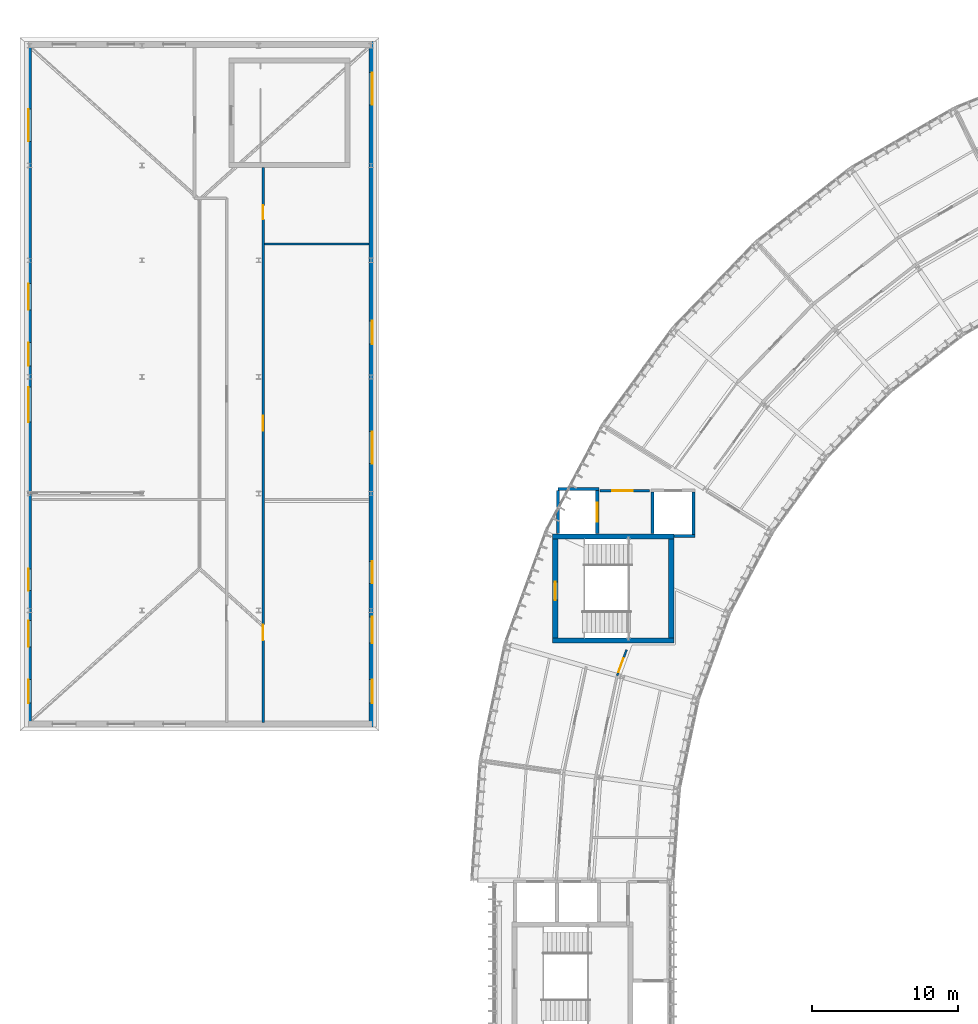
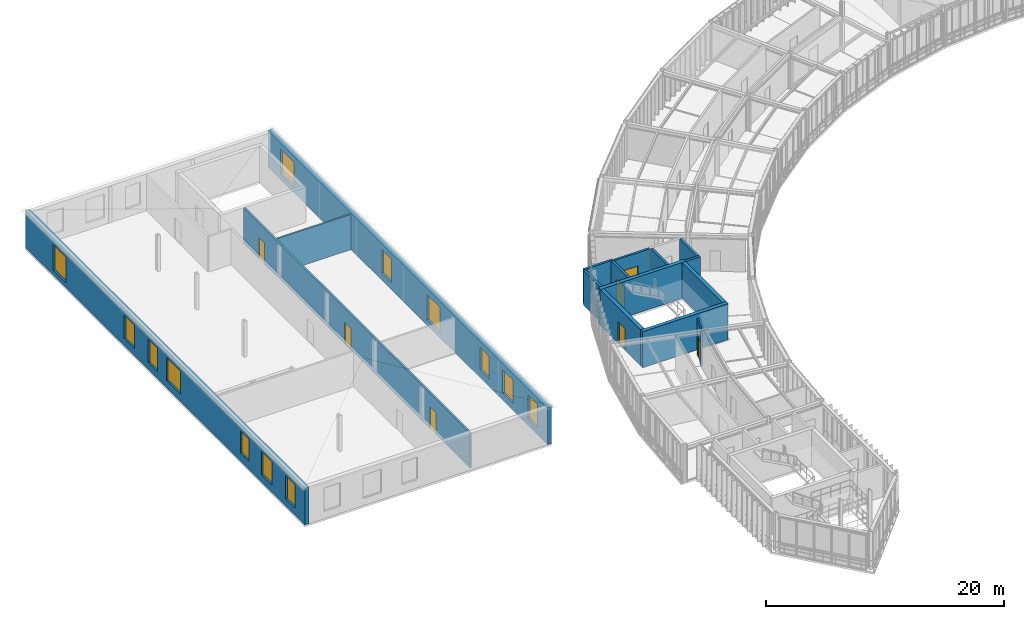
# One storey, part 30 of 42: 16 walls, 13 windows, 7 doors, 20 openings.
"""IFC4 building model written with IfcOpenShell, lengths in metres."""

from ifc_helpers import new_model, si_unit, direction, frame, frame_2d, origin, place, context, subcontext, project, spatial, rectangle, extrude, material, layer, layer_set, type_object, element, fill, save


model = new_model("IFC4")

# Units and contexts
model_context = context("Model", 3, precision=1e-05, world=origin(), true_north=direction((0.0, 1.0)))
body_context = subcontext(model_context, "Body", "Model", "MODEL_VIEW")
ifc_project = project(units=[si_unit("LENGTHUNIT", "METRE"), si_unit("AREAUNIT", "SQUARE_METRE"), si_unit("VOLUMEUNIT", "CUBIC_METRE"), si_unit("PLANEANGLEUNIT", "RADIAN"), si_unit("MASSUNIT", "GRAM", prefix="KILO"), si_unit("THERMODYNAMICTEMPERATUREUNIT", "KELVIN"), si_unit("POWERUNIT", "WATT")], contexts=[model_context])

# Site, building, storey
site_placement = place(None, origin())
site = spatial("IfcSite", under=ifc_project, at=site_placement, CompositionType="ELEMENT")
building_placement = place(site_placement, origin())
building = spatial("IfcBuilding", under=site, at=building_placement, Name="Solvatero Civic Police Headquarters", CompositionType="ELEMENT")
storey_placement = place(building_placement, frame((0.0, 0.0, 21.60009765625)))
storey = spatial("IfcBuildingStorey", under=building, at=storey_placement, Name="L05", CompositionType="ELEMENT", Elevation=21.60009765625)

# Wall, openings, windows
ifc_material_1 = material(Name="Cream Limestone Ashlar", Category="masonry")
ifc_layer_1 = layer(ifc_material_1, 0.419921875)
ifc_layer_set_1 = layer_set([ifc_layer_1], Name="Cream Limestone Ashlar")
wall_type_1 = type_object("IfcWallType", Name="WL-EXT-LIME-420", PredefinedType="SOLIDWALL", material=ifc_layer_set_1)
wall_1_placement = place(storey_placement, frame((4.719970703125, 36.5, 0.0), z_axis=(0.0, 0.0, 1.0), x_axis=(0.0, 1.0, 0.0)))
wall_1 = element("IfcWall", 1, at=wall_1_placement, inside=storey, type_object=wall_type_1, Name="Exterior Wall WLE-L05-V6-W", PredefinedType="SOLIDWALL", context=body_context, shape_type="SweptSolid", body=[
    extrude(rectangle(XDim=47.0, YDim=0.419921875, at=frame_2d((23.5, 0.0))), origin(), (0.0, 0.0, 1.0), 3.77978515625),
])
opening_1_placement = place(wall_1_placement, frame((1.64990234375, 0.0, 0.739990234375)))
opening_1 = element("IfcOpeningElement", 2, at=opening_1_placement, cuts=wall_1, Name="Opening W-04", PredefinedType="OPENING", context=body_context, shape_type="SweptSolid", body=[
    extrude(rectangle(XDim=1.60009765625, YDim=2.39990234375, at=frame_2d((0.800048828125, 1.199951171875))), frame((0.0, 0.219970703125, 0.0), z_axis=(0.0, -1.0, 0.0), x_axis=(1.0, 0.0, 0.0)), (0.0, 0.0, 1.0), 0.43994140625),
])
opening_2_placement = place(wall_1_placement, frame((5.5, 0.0, 0.739990234375)))
opening_2 = element("IfcOpeningElement", 3, at=opening_2_placement, cuts=wall_1, Name="Opening W-05", PredefinedType="OPENING", context=body_context, shape_type="SweptSolid", body=[
    extrude(rectangle(XDim=1.800048828125, YDim=2.39990234375, at=frame_2d((0.89990234375, 1.199951171875))), frame((0.0, 0.219970703125, 0.0), z_axis=(0.0, -1.0, 0.0), x_axis=(1.0, 0.0, 0.0)), (0.0, 0.0, 1.0), 0.43994140625),
])
opening_3_placement = place(wall_1_placement, frame((9.35009765625, 0.0, 0.840087890625)))
opening_3 = element("IfcOpeningElement", 4, at=opening_3_placement, cuts=wall_1, Name="Opening W-03", PredefinedType="OPENING", context=body_context, shape_type="SweptSolid", body=[
    extrude(rectangle(XDim=1.5, YDim=2.300048828125, at=frame_2d((0.75, 1.14990234375))), frame((0.0, 0.219970703125, 0.0), z_axis=(0.0, -1.0, 0.0), x_axis=(1.0, 0.0, 0.0)), (0.0, 0.0, 1.0), 0.43994140625),
])
opening_4_placement = place(wall_1_placement, frame((20.89990234375, 0.0, 0.739990234375)))
opening_4 = element("IfcOpeningElement", 5, at=opening_4_placement, cuts=wall_1, Name="Opening W-08", PredefinedType="OPENING", context=body_context, shape_type="SweptSolid", body=[
    extrude(rectangle(XDim=2.39990234375, YDim=2.39990234375, at=frame_2d((1.199951171875, 1.199951171875))), frame((0.0, 0.219970703125, 0.0), z_axis=(0.0, -1.0, 0.0), x_axis=(1.0, 0.0, 0.0)), (0.0, 0.0, 1.0), 0.43994140625),
])
opening_5_placement = place(wall_1_placement, frame((24.75, 0.0, 0.739990234375)))
opening_5 = element("IfcOpeningElement", 6, at=opening_5_placement, cuts=wall_1, Name="Opening W-04", PredefinedType="OPENING", context=body_context, shape_type="SweptSolid", body=[
    extrude(rectangle(XDim=1.60009765625, YDim=2.39990234375, at=frame_2d((0.800048828125, 1.199951171875))), frame((0.0, 0.219970703125, 0.0), z_axis=(0.0, -1.0, 0.0), x_axis=(1.0, 0.0, 0.0)), (0.0, 0.0, 1.0), 0.43994140625),
])
opening_6_placement = place(wall_1_placement, frame((28.60009765625, 0.0, 0.739990234375)))
opening_6 = element("IfcOpeningElement", 7, at=opening_6_placement, cuts=wall_1, Name="Opening W-05", PredefinedType="OPENING", context=body_context, shape_type="SweptSolid", body=[
    extrude(rectangle(XDim=1.800048828125, YDim=2.39990234375, at=frame_2d((0.89990234375, 1.199951171875))), frame((0.0, 0.219970703125, 0.0), z_axis=(0.0, -1.0, 0.0), x_axis=(1.0, 0.0, 0.0)), (0.0, 0.0, 1.0), 0.43994140625),
])
opening_7_placement = place(wall_1_placement, frame((40.14990234375, 0.0, 0.5400390625)))
opening_7 = element("IfcOpeningElement", 8, at=opening_7_placement, cuts=wall_1, Name="Opening W-07", PredefinedType="OPENING", context=body_context, shape_type="SweptSolid", body=[
    extrude(rectangle(XDim=2.199951171875, YDim=2.60009765625, at=frame_2d((1.10009765625, 1.300048828125))), frame((0.0, 0.219970703125, 0.0), z_axis=(0.0, -1.0, 0.0), x_axis=(1.0, 0.0, 0.0)), (0.0, 0.0, 1.0), 0.43994140625),
])
ifc_material_2 = material(Name="Anodized Bronze Aluminium", Category="aluminium")
window_type_1 = type_object("IfcWindowType", Name="WN-CL-150x230", PartitioningType="SINGLE_PANEL", PredefinedType="WINDOW", material=ifc_material_2)
window_1_placement = place(opening_3_placement, origin())
window_1 = element("IfcWindow", 9, at=window_1_placement, inside=storey, type_object=window_type_1, Name="Exterior Window 0132", OverallHeight=2.300048828125, OverallWidth=1.5, PartitioningType="SINGLE_PANEL", PredefinedType="WINDOW", context=body_context, shape_type="SweptSolid", body=[
    extrude(rectangle(XDim=1.5, YDim=2.300048828125, at=frame_2d((0.75, 1.14990234375))), frame((0.0, 0.030029296875, 0.0), z_axis=(0.0, -1.0, 0.0), x_axis=(1.0, 0.0, 0.0)), (0.0, 0.0, 1.0), 0.06005859375),
])
fill(opening_3, window_1)
window_type_2 = type_object("IfcWindowType", Name="WN-CL-160x240", PartitioningType="SINGLE_PANEL", PredefinedType="WINDOW", material=ifc_material_2)
window_2_placement = place(opening_1_placement, origin())
window_2 = element("IfcWindow", 10, at=window_2_placement, inside=storey, type_object=window_type_2, Name="Exterior Window 0130", OverallHeight=2.39990234375, OverallWidth=1.60009765625, PartitioningType="SINGLE_PANEL", PredefinedType="WINDOW", context=body_context, shape_type="SweptSolid", body=[
    extrude(rectangle(XDim=1.60009765625, YDim=2.39990234375, at=frame_2d((0.800048828125, 1.199951171875))), frame((0.0, 0.030029296875, 0.0), z_axis=(0.0, -1.0, 0.0), x_axis=(1.0, 0.0, 0.0)), (0.0, 0.0, 1.0), 0.06005859375),
])
fill(opening_1, window_2)
window_3_placement = place(opening_5_placement, origin())
window_3 = element("IfcWindow", 11, at=window_3_placement, inside=storey, type_object=window_type_2, Name="Exterior Window 0134", OverallHeight=2.39990234375, OverallWidth=1.60009765625, PartitioningType="SINGLE_PANEL", PredefinedType="WINDOW", context=body_context, shape_type="SweptSolid", body=[
    extrude(rectangle(XDim=1.60009765625, YDim=2.39990234375, at=frame_2d((0.800048828125, 1.199951171875))), frame((0.0, 0.030029296875, 0.0), z_axis=(0.0, -1.0, 0.0), x_axis=(1.0, 0.0, 0.0)), (0.0, 0.0, 1.0), 0.06005859375),
])
fill(opening_5, window_3)
window_type_3 = type_object("IfcWindowType", Name="WN-CL-180x240", PartitioningType="SINGLE_PANEL", PredefinedType="WINDOW", material=ifc_material_2)
window_4_placement = place(opening_2_placement, origin())
window_4 = element("IfcWindow", 12, at=window_4_placement, inside=storey, type_object=window_type_3, Name="Exterior Window 0131", OverallHeight=2.39990234375, OverallWidth=1.800048828125, PartitioningType="SINGLE_PANEL", PredefinedType="WINDOW", context=body_context, shape_type="SweptSolid", body=[
    extrude(rectangle(XDim=1.800048828125, YDim=2.39990234375, at=frame_2d((0.89990234375, 1.199951171875))), frame((0.0, 0.030029296875, 0.0), z_axis=(0.0, -1.0, 0.0), x_axis=(1.0, 0.0, 0.0)), (0.0, 0.0, 1.0), 0.06005859375),
])
fill(opening_2, window_4)
window_5_placement = place(opening_6_placement, origin())
window_5 = element("IfcWindow", 13, at=window_5_placement, inside=storey, type_object=window_type_3, Name="Exterior Window 0135", OverallHeight=2.39990234375, OverallWidth=1.800048828125, PartitioningType="SINGLE_PANEL", PredefinedType="WINDOW", context=body_context, shape_type="SweptSolid", body=[
    extrude(rectangle(XDim=1.800048828125, YDim=2.39990234375, at=frame_2d((0.89990234375, 1.199951171875))), frame((0.0, 0.030029296875, 0.0), z_axis=(0.0, -1.0, 0.0), x_axis=(1.0, 0.0, 0.0)), (0.0, 0.0, 1.0), 0.06005859375),
])
fill(opening_6, window_5)
window_type_4 = type_object("IfcWindowType", Name="WN-CL-220x260", PartitioningType="SINGLE_PANEL", PredefinedType="WINDOW", material=ifc_material_2)
window_6_placement = place(opening_7_placement, origin())
window_6 = element("IfcWindow", 14, at=window_6_placement, inside=storey, type_object=window_type_4, Name="Exterior Window 0136", OverallHeight=2.60009765625, OverallWidth=2.199951171875, PartitioningType="SINGLE_PANEL", PredefinedType="WINDOW", context=body_context, shape_type="SweptSolid", body=[
    extrude(rectangle(XDim=2.199951171875, YDim=2.60009765625, at=frame_2d((1.10009765625, 1.300048828125))), frame((0.0, 0.030029296875, 0.0), z_axis=(0.0, -1.0, 0.0), x_axis=(1.0, 0.0, 0.0)), (0.0, 0.0, 1.0), 0.06005859375),
])
fill(opening_7, window_6)
window_type_5 = type_object("IfcWindowType", Name="WN-CL-240x240", PartitioningType="SINGLE_PANEL", PredefinedType="WINDOW", material=ifc_material_2)
window_7_placement = place(opening_4_placement, origin())
window_7 = element("IfcWindow", 15, at=window_7_placement, inside=storey, type_object=window_type_5, Name="Exterior Window 0133", OverallHeight=2.39990234375, OverallWidth=2.39990234375, PartitioningType="SINGLE_PANEL", PredefinedType="WINDOW", context=body_context, shape_type="SweptSolid", body=[
    extrude(rectangle(XDim=2.39990234375, YDim=2.39990234375, at=frame_2d((1.199951171875, 1.199951171875))), frame((0.0, 0.030029296875, 0.0), z_axis=(0.0, -1.0, 0.0), x_axis=(1.0, 0.0, 0.0)), (0.0, 0.0, 1.0), 0.06005859375),
])
fill(opening_4, window_7)

wall_2_placement = place(storey_placement, frame((28.280029296875, 36.5, 0.0), z_axis=(0.0, 0.0, 1.0), x_axis=(0.0, 1.0, 0.0)))
wall_2 = element("IfcWall", 16, at=wall_2_placement, inside=storey, type_object=wall_type_1, Name="Exterior Wall WLE-L05-V6-E", PredefinedType="SOLIDWALL", context=body_context, shape_type="SweptSolid", body=[
    extrude(rectangle(XDim=47.0, YDim=0.419921875, at=frame_2d((23.5, 0.0))), origin(), (0.0, 0.0, 1.0), 3.77978515625),
])
opening_8_placement = place(wall_2_placement, frame((1.64990234375, 0.0, 0.739990234375)))
opening_8 = element("IfcOpeningElement", 17, at=opening_8_placement, cuts=wall_2, Name="Opening W-04", PredefinedType="OPENING", context=body_context, shape_type="SweptSolid", body=[
    extrude(rectangle(XDim=1.60009765625, YDim=2.39990234375, at=frame_2d((0.800048828125, 1.199951171875))), frame((0.0, 0.219970703125, 0.0), z_axis=(0.0, -1.0, 0.0), x_axis=(1.0, 0.0, 0.0)), (0.0, 0.0, 1.0), 0.43994140625),
])
opening_9_placement = place(wall_2_placement, frame((5.75, 0.0, 0.739990234375)))
opening_9 = element("IfcOpeningElement", 18, at=opening_9_placement, cuts=wall_2, Name="Opening W-05", PredefinedType="OPENING", context=body_context, shape_type="SweptSolid", body=[
    extrude(rectangle(XDim=1.800048828125, YDim=2.39990234375, at=frame_2d((0.89990234375, 1.199951171875))), frame((0.0, 0.219970703125, 0.0), z_axis=(0.0, -1.0, 0.0), x_axis=(1.0, 0.0, 0.0)), (0.0, 0.0, 1.0), 0.43994140625),
])
opening_10_placement = place(wall_2_placement, frame((9.85009765625, 0.0, 0.840087890625)))
opening_10 = element("IfcOpeningElement", 19, at=opening_10_placement, cuts=wall_2, Name="Opening W-03", PredefinedType="OPENING", context=body_context, shape_type="SweptSolid", body=[
    extrude(rectangle(XDim=1.5, YDim=2.300048828125, at=frame_2d((0.75, 1.14990234375))), frame((0.0, 0.219970703125, 0.0), z_axis=(0.0, -1.0, 0.0), x_axis=(1.0, 0.0, 0.0)), (0.0, 0.0, 1.0), 0.43994140625),
])
opening_11_placement = place(wall_2_placement, frame((18.050048828125, 0.0, 0.5400390625)))
opening_11 = element("IfcOpeningElement", 20, at=opening_11_placement, cuts=wall_2, Name="Opening W-07", PredefinedType="OPENING", context=body_context, shape_type="SweptSolid", body=[
    extrude(rectangle(XDim=2.199951171875, YDim=2.60009765625, at=frame_2d((1.10009765625, 1.300048828125))), frame((0.0, 0.219970703125, 0.0), z_axis=(0.0, -1.0, 0.0), x_axis=(1.0, 0.0, 0.0)), (0.0, 0.0, 1.0), 0.43994140625),
])
opening_12_placement = place(wall_2_placement, frame((26.25, 0.0, 0.739990234375)))
opening_12 = element("IfcOpeningElement", 21, at=opening_12_placement, cuts=wall_2, Name="Opening W-04", PredefinedType="OPENING", context=body_context, shape_type="SweptSolid", body=[
    extrude(rectangle(XDim=1.60009765625, YDim=2.39990234375, at=frame_2d((0.800048828125, 1.199951171875))), frame((0.0, 0.219970703125, 0.0), z_axis=(0.0, -1.0, 0.0), x_axis=(1.0, 0.0, 0.0)), (0.0, 0.0, 1.0), 0.43994140625),
])
opening_13_placement = place(wall_2_placement, frame((42.64990234375, 0.0, 0.5400390625)))
opening_13 = element("IfcOpeningElement", 22, at=opening_13_placement, cuts=wall_2, Name="Opening W-07", PredefinedType="OPENING", context=body_context, shape_type="SweptSolid", body=[
    extrude(rectangle(XDim=2.199951171875, YDim=2.60009765625, at=frame_2d((1.10009765625, 1.300048828125))), frame((0.0, 0.219970703125, 0.0), z_axis=(0.0, -1.0, 0.0), x_axis=(1.0, 0.0, 0.0)), (0.0, 0.0, 1.0), 0.43994140625),
])
window_8_placement = place(opening_10_placement, origin())
window_8 = element("IfcWindow", 23, at=window_8_placement, inside=storey, type_object=window_type_1, Name="Exterior Window 0126", OverallHeight=2.300048828125, OverallWidth=1.5, PartitioningType="SINGLE_PANEL", PredefinedType="WINDOW", context=body_context, shape_type="SweptSolid", body=[
    extrude(rectangle(XDim=1.5, YDim=2.300048828125, at=frame_2d((0.75, 1.14990234375))), frame((0.0, 0.030029296875, 0.0), z_axis=(0.0, -1.0, 0.0), x_axis=(1.0, 0.0, 0.0)), (0.0, 0.0, 1.0), 0.06005859375),
])
fill(opening_10, window_8)
window_9_placement = place(opening_8_placement, origin())
window_9 = element("IfcWindow", 24, at=window_9_placement, inside=storey, type_object=window_type_2, Name="Exterior Window 0124", OverallHeight=2.39990234375, OverallWidth=1.60009765625, PartitioningType="SINGLE_PANEL", PredefinedType="WINDOW", context=body_context, shape_type="SweptSolid", body=[
    extrude(rectangle(XDim=1.60009765625, YDim=2.39990234375, at=frame_2d((0.800048828125, 1.199951171875))), frame((0.0, 0.030029296875, 0.0), z_axis=(0.0, -1.0, 0.0), x_axis=(1.0, 0.0, 0.0)), (0.0, 0.0, 1.0), 0.06005859375),
])
fill(opening_8, window_9)
window_10_placement = place(opening_12_placement, origin())
window_10 = element("IfcWindow", 25, at=window_10_placement, inside=storey, type_object=window_type_2, Name="Exterior Window 0128", OverallHeight=2.39990234375, OverallWidth=1.60009765625, PartitioningType="SINGLE_PANEL", PredefinedType="WINDOW", context=body_context, shape_type="SweptSolid", body=[
    extrude(rectangle(XDim=1.60009765625, YDim=2.39990234375, at=frame_2d((0.800048828125, 1.199951171875))), frame((0.0, 0.030029296875, 0.0), z_axis=(0.0, -1.0, 0.0), x_axis=(1.0, 0.0, 0.0)), (0.0, 0.0, 1.0), 0.06005859375),
])
fill(opening_12, window_10)
window_11_placement = place(opening_9_placement, origin())
window_11 = element("IfcWindow", 26, at=window_11_placement, inside=storey, type_object=window_type_3, Name="Exterior Window 0125", OverallHeight=2.39990234375, OverallWidth=1.800048828125, PartitioningType="SINGLE_PANEL", PredefinedType="WINDOW", context=body_context, shape_type="SweptSolid", body=[
    extrude(rectangle(XDim=1.800048828125, YDim=2.39990234375, at=frame_2d((0.89990234375, 1.199951171875))), frame((0.0, 0.030029296875, 0.0), z_axis=(0.0, -1.0, 0.0), x_axis=(1.0, 0.0, 0.0)), (0.0, 0.0, 1.0), 0.06005859375),
])
fill(opening_9, window_11)
window_12_placement = place(opening_11_placement, origin())
window_12 = element("IfcWindow", 27, at=window_12_placement, inside=storey, type_object=window_type_4, Name="Exterior Window 0127", OverallHeight=2.60009765625, OverallWidth=2.199951171875, PartitioningType="SINGLE_PANEL", PredefinedType="WINDOW", context=body_context, shape_type="SweptSolid", body=[
    extrude(rectangle(XDim=2.199951171875, YDim=2.60009765625, at=frame_2d((1.10009765625, 1.300048828125))), frame((0.0, 0.030029296875, 0.0), z_axis=(0.0, -1.0, 0.0), x_axis=(1.0, 0.0, 0.0)), (0.0, 0.0, 1.0), 0.06005859375),
])
fill(opening_11, window_12)
window_13_placement = place(opening_13_placement, origin())
window_13 = element("IfcWindow", 28, at=window_13_placement, inside=storey, type_object=window_type_4, Name="Exterior Window 0129", OverallHeight=2.60009765625, OverallWidth=2.199951171875, PartitioningType="SINGLE_PANEL", PredefinedType="WINDOW", context=body_context, shape_type="SweptSolid", body=[
    extrude(rectangle(XDim=2.199951171875, YDim=2.60009765625, at=frame_2d((1.10009765625, 1.300048828125))), frame((0.0, 0.030029296875, 0.0), z_axis=(0.0, -1.0, 0.0), x_axis=(1.0, 0.0, 0.0)), (0.0, 0.0, 1.0), 0.06005859375),
])
fill(opening_13, window_13)

# Wall, opening, door
ifc_material_3 = material(Name="Gypsum Double-Stud", Category="gypsum")
ifc_layer_2 = layer(ifc_material_3, 0.135009765625)
ifc_layer_set_2 = layer_set([ifc_layer_2], Name="Gypsum Double-Stud")
wall_type_2 = type_object("IfcWallType", Name="WL-PTN-135", PredefinedType="PARTITIONING", material=ifc_layer_set_2)
wall_3_placement = place(storey_placement, frame((45.716064453125, 41.800048828125, 0.0), z_axis=(0.0, 0.0, 1.0), x_axis=(-0.342003187451, -0.939698792046, 0.0)))
wall_3 = element("IfcWall", 29, at=wall_3_placement, inside=storey, type_object=wall_type_2, Name="Interior Partition WLP-L05-ARC-CIN-B10", PredefinedType="PARTITIONING", context=body_context, shape_type="SweptSolid", body=[
    extrude(rectangle(XDim=1.8837890625, YDim=0.135009765625, at=frame_2d((0.94189453125, 0.0))), origin(), (0.0, 0.0, 1.0), 3.619873046875),
])
opening_14_placement = place(wall_3_placement, frame((0.6240234375, 0.0, 0.0)))
opening_14 = element("IfcOpeningElement", 30, at=opening_14_placement, cuts=wall_3, Name="Opening ID-06", PredefinedType="OPENING", context=body_context, shape_type="SweptSolid", body=[
    extrude(rectangle(XDim=1.02001953125, YDim=2.179931640625, at=frame_2d((0.510009765625, 1.08984375))), frame((0.0, 0.077392578125, 0.0), z_axis=(0.0, -1.0, 0.0), x_axis=(1.0, 0.0, 0.0)), (0.0, 0.0, 1.0), 0.155029296875),
])
ifc_material_4 = material(Name="Powder-Coated Steel", Category="steel")
door_type_1 = type_object("IfcDoorType", Name="DR-LAB-102x218", OperationType="NOTDEFINED", PredefinedType="DOOR", material=ifc_material_4)
door_1_placement = place(opening_14_placement, origin())
door_1 = element("IfcDoor", 31, at=door_1_placement, inside=storey, type_object=door_type_1, Name="Interior Door DR-L05-ARC-IN-B10", OperationType="SINGLE_SWING_LEFT", OverallHeight=2.179931640625, OverallWidth=1.02001953125, PredefinedType="DOOR", context=body_context, shape_type="SweptSolid", body=[
    extrude(rectangle(XDim=1.02001953125, YDim=2.179931640625, at=frame_2d((0.510009765625, 1.08984375))), frame((0.0, 0.02490234375, 0.0), z_axis=(0.0, -1.0, 0.0), x_axis=(1.0, 0.0, 0.0)), (0.0, 0.0, 1.0), 0.050048828125),
])
fill(opening_14, door_1)

# Wall
ifc_material_5 = material(Name="Gypsum Acoustic Stud", Category="gypsum")
ifc_layer_3 = layer(ifc_material_5, 0.14990234375)
ifc_layer_set_3 = layer_set([ifc_layer_3], Name="Gypsum Acoustic Stud")
wall_type_3 = type_object("IfcWallType", Name="WL-PTN-150", PredefinedType="PARTITIONING", material=ifc_layer_set_3)
wall_4_placement = place(storey_placement, frame((20.89990234375, 69.60009765625, 0.0), z_axis=(0.0, 0.0, 1.0), x_axis=(1.0, 0.0, 0.0)))
element("IfcWall", 32, at=wall_4_placement, inside=storey, type_object=wall_type_3, Name="Interior Partition WLP-L05-WCA-S", PredefinedType="PARTITIONING", context=body_context, shape_type="SweptSolid", body=[
    extrude(rectangle(XDim=7.150146484375, YDim=0.14990234375, at=frame_2d((3.5751953125, 0.0))), origin(), (0.0, 0.0, 1.0), 3.619873046875),
])

# Wall, openings, doors
ifc_material_6 = material(Name="Concrete Blockwork", Category="masonry")
ifc_layer_4 = layer(ifc_material_6, 0.179931640625)
ifc_layer_set_4 = layer_set([ifc_layer_4], Name="Concrete Blockwork")
wall_type_4 = type_object("IfcWallType", Name="WL-PTN-180", PredefinedType="PARTITIONING", material=ifc_layer_set_4)
wall_5_placement = place(storey_placement, frame((20.800048828125, 36.800048828125, 0.0), z_axis=(0.0, 0.0, 1.0), x_axis=(0.0, 1.0, 0.0)))
wall_5 = element("IfcWall", 33, at=wall_5_placement, inside=storey, type_object=wall_type_4, Name="Interior Partition WLP-L05-V6-CE", PredefinedType="PARTITIONING", context=body_context, shape_type="SweptSolid", body=[
    extrude(rectangle(XDim=38.050048828125, YDim=0.179931640625, at=frame_2d((19.02490234375, 0.0))), origin(), (0.0, 0.0, 1.0), 3.619873046875),
])
opening_15_placement = place(wall_5_placement, frame((5.64990234375, 0.0, 0.0)))
opening_15 = element("IfcOpeningElement", 34, at=opening_15_placement, cuts=wall_5, Name="Opening ID-08", PredefinedType="OPENING", context=body_context, shape_type="SweptSolid", body=[
    extrude(rectangle(XDim=1.080078125, YDim=2.219970703125, at=frame_2d((0.5400390625, 1.10986328125))), frame((0.0, 0.099853515625, 0.0), z_axis=(0.0, -1.0, 0.0), x_axis=(1.0, 0.0, 0.0)), (0.0, 0.0, 1.0), 0.199951171875),
])
opening_16_placement = place(wall_5_placement, frame((20.0, 0.0, 0.0)))
opening_16 = element("IfcOpeningElement", 35, at=opening_16_placement, cuts=wall_5, Name="Opening ID-07", PredefinedType="OPENING", context=body_context, shape_type="SweptSolid", body=[
    extrude(rectangle(XDim=1.050048828125, YDim=2.199951171875, at=frame_2d((0.52490234375, 1.10009765625))), frame((0.0, 0.099853515625, 0.0), z_axis=(0.0, -1.0, 0.0), x_axis=(1.0, 0.0, 0.0)), (0.0, 0.0, 1.0), 0.199951171875),
])
opening_17_placement = place(wall_5_placement, frame((34.5, 0.0, 0.0)))
opening_17 = element("IfcOpeningElement", 36, at=opening_17_placement, cuts=wall_5, Name="Opening ID-04", PredefinedType="OPENING", context=body_context, shape_type="SweptSolid", body=[
    extrude(rectangle(XDim=0.949951171875, YDim=2.14990234375, at=frame_2d((0.47509765625, 1.074951171875))), frame((0.0, 0.099853515625, 0.0), z_axis=(0.0, -1.0, 0.0), x_axis=(1.0, 0.0, 0.0)), (0.0, 0.0, 1.0), 0.199951171875),
])
ifc_material_7 = material(Name="Acoustic Oak Timber Veneer", Category="wood")
door_type_2 = type_object("IfcDoorType", Name="DR-ACC-095x215", OperationType="NOTDEFINED", PredefinedType="DOOR", material=ifc_material_7)
door_2_placement = place(opening_17_placement, origin())
door_2 = element("IfcDoor", 37, at=door_2_placement, inside=storey, type_object=door_type_2, Name="Interior Door DR-L05-WCA", OperationType="SINGLE_SWING_RIGHT", OverallHeight=2.14990234375, OverallWidth=0.949951171875, PredefinedType="DOOR", context=body_context, shape_type="SweptSolid", body=[
    extrude(rectangle(XDim=0.949951171875, YDim=2.14990234375, at=frame_2d((0.47509765625, 1.074951171875))), frame((0.0, 0.02490234375, 0.0), z_axis=(0.0, -1.0, 0.0), x_axis=(1.0, 0.0, 0.0)), (0.0, 0.0, 1.0), 0.050048828125),
])
fill(opening_17, door_2)
door_type_3 = type_object("IfcDoorType", Name="DR-LAB-105x220", OperationType="NOTDEFINED", PredefinedType="DOOR", material=ifc_material_4)
door_3_placement = place(opening_16_placement, origin())
door_3 = element("IfcDoor", 38, at=door_3_placement, inside=storey, type_object=door_type_3, Name="Interior Door DR-L05-V6-NE", OperationType="SINGLE_SWING_LEFT", OverallHeight=2.199951171875, OverallWidth=1.050048828125, PredefinedType="DOOR", context=body_context, shape_type="SweptSolid", body=[
    extrude(rectangle(XDim=1.050048828125, YDim=2.199951171875, at=frame_2d((0.52490234375, 1.10009765625))), frame((0.0, 0.02490234375, 0.0), z_axis=(0.0, -1.0, 0.0), x_axis=(1.0, 0.0, 0.0)), (0.0, 0.0, 1.0), 0.050048828125),
])
fill(opening_16, door_3)
door_type_4 = type_object("IfcDoorType", Name="DR-LAB-108x222", OperationType="NOTDEFINED", PredefinedType="DOOR", material=ifc_material_4)
door_4_placement = place(opening_15_placement, origin())
door_4 = element("IfcDoor", 39, at=door_4_placement, inside=storey, type_object=door_type_4, Name="Interior Door DR-L05-V6-SE", OperationType="SINGLE_SWING_RIGHT", OverallHeight=2.219970703125, OverallWidth=1.080078125, PredefinedType="DOOR", context=body_context, shape_type="SweptSolid", body=[
    extrude(rectangle(XDim=1.080078125, YDim=2.219970703125, at=frame_2d((0.5400390625, 1.10986328125))), frame((0.0, 0.02490234375, 0.0), z_axis=(0.0, -1.0, 0.0), x_axis=(1.0, 0.0, 0.0)), (0.0, 0.0, 1.0), 0.050048828125),
])
fill(opening_15, door_4)

# Wall, opening, door
ifc_layer_5 = layer(ifc_material_6, 0.199951171875)
ifc_layer_set_5 = layer_set([ifc_layer_5], Name="Concrete Blockwork")
wall_type_5 = type_object("IfcWallType", Name="WL-PTN-200", PredefinedType="PARTITIONING", material=ifc_layer_set_5)
wall_6_placement = place(storey_placement, frame((43.89990234375, 52.699951171875, 0.0), z_axis=(0.0, 0.0, 1.0), x_axis=(1.0, 0.0, 0.0)))
wall_6 = element("IfcWall", 40, at=wall_6_placement, inside=storey, type_object=wall_type_5, Name="Interior Partition WLP-FFL-C2-L05-N", PredefinedType="PARTITIONING", context=body_context, shape_type="SweptSolid", body=[
    extrude(rectangle(XDim=3.400146484375, YDim=0.199951171875, at=frame_2d((1.7001953125, 0.0))), origin(), (0.0, 0.0, 1.0), 3.619873046875),
])
opening_18_placement = place(wall_6_placement, frame((0.85009765625, 0.0, 0.0)))
opening_18 = element("IfcOpeningElement", 41, at=opening_18_placement, cuts=wall_6, Name="Opening FD-02", PredefinedType="OPENING", context=body_context, shape_type="SweptSolid", body=[
    extrude(rectangle(XDim=1.39990234375, YDim=2.25, at=frame_2d((0.699951171875, 1.125))), frame((0.0, 0.10986328125, 0.0), z_axis=(0.0, -1.0, 0.0), x_axis=(1.0, 0.0, 0.0)), (0.0, 0.0, 1.0), 0.219970703125),
])
door_type_5 = type_object("IfcDoorType", Name="DR-LOB-140x225", OperationType="NOTDEFINED", PredefinedType="DOOR", material=ifc_material_4)
door_5_placement = place(opening_18_placement, origin())
door_5 = element("IfcDoor", 42, at=door_5_placement, inside=storey, type_object=door_type_5, Name="Interior Door DR-FFL-C2-L05-ACC", OperationType="DOUBLE_DOOR_SINGLE_SWING", OverallHeight=2.25, OverallWidth=1.39990234375, PredefinedType="DOOR", context=body_context, shape_type="SweptSolid", body=[
    extrude(rectangle(XDim=1.39990234375, YDim=2.25, at=frame_2d((0.699951171875, 1.125))), frame((0.0, 0.02490234375, 0.0), z_axis=(0.0, -1.0, 0.0), x_axis=(1.0, 0.0, 0.0)), (0.0, 0.0, 1.0), 0.050048828125),
])
fill(opening_18, door_5)

# Walls
ifc_material_8 = material(Name="Concrete C35/45", Category="concrete")
ifc_layer_6 = layer(ifc_material_8, 0.219970703125)
ifc_layer_set_6 = layer_set([ifc_layer_6], Name="Concrete C35/45")
wall_type_6 = type_object("IfcWallType", Name="WL-SHF-220", PredefinedType="PARTITIONING", material=ifc_layer_set_6)
wall_7_placement = place(storey_placement, frame((41.02001953125, 52.81005859375, 0.0), z_axis=(0.0, 0.0, 1.0), x_axis=(1.0, 0.0, 0.0)))
element("IfcWall", 43, at=wall_7_placement, inside=storey, type_object=wall_type_6, Name="Lift Shaft Wall WLS-FL-02-L05-N", PredefinedType="PARTITIONING", context=body_context, shape_type="SweptSolid", body=[
    extrude(rectangle(XDim=2.800048828125, YDim=0.219970703125, at=frame_2d((1.39990234375, 0.0))), origin(), (0.0, 0.0, 1.0), 3.619873046875),
])
wall_8_placement = place(storey_placement, frame((41.02001953125, 49.760009765625, 0.0), z_axis=(0.0, 0.0, 1.0), x_axis=(0.0, 1.0, 0.0)))
element("IfcWall", 44, at=wall_8_placement, inside=storey, type_object=wall_type_6, Name="Lift Shaft Wall WLS-FL-02-L05-W", PredefinedType="PARTITIONING", context=body_context, shape_type="SweptSolid", body=[
    extrude(rectangle(XDim=2.93994140625, YDim=0.219970703125, at=frame_2d((1.469970703125, 0.0))), origin(), (0.0, 0.0, 1.0), 3.619873046875),
])

# Wall, opening, door
wall_9_placement = place(storey_placement, frame((43.7099609375, 49.760009765625, 0.0), z_axis=(0.0, 0.0, 1.0), x_axis=(0.0, 1.0, 0.0)))
wall_9 = element("IfcWall", 45, at=wall_9_placement, inside=storey, type_object=wall_type_6, Name="Lift Shaft Wall WLS-FL-02-L05-E", PredefinedType="PARTITIONING", context=body_context, shape_type="SweptSolid", body=[
    extrude(rectangle(XDim=2.93994140625, YDim=0.219970703125, at=frame_2d((1.469970703125, 0.0))), origin(), (0.0, 0.0, 1.0), 3.619873046875),
])
opening_19_placement = place(wall_9_placement, frame((0.820068359375, 0.0, 0.0)))
opening_19 = element("IfcOpeningElement", 46, at=opening_19_placement, cuts=wall_9, Name="Opening LD-02", PredefinedType="OPENING", context=body_context, shape_type="SweptSolid", body=[
    extrude(rectangle(XDim=1.300048828125, YDim=2.199951171875, at=frame_2d((0.64990234375, 1.10009765625))), frame((0.0, 0.119873046875, 0.0), z_axis=(0.0, -1.0, 0.0), x_axis=(1.0, 0.0, 0.0)), (0.0, 0.0, 1.0), 0.239990234375),
])
ifc_material_9 = material(Name="Stainless Steel Grade 316", Category="steel")
door_type_6 = type_object("IfcDoorType", Name="DR-LFT-130x220", OperationType="DOUBLE_DOOR_SLIDING", PredefinedType="DOOR", material=ifc_material_9)
door_6_placement = place(opening_19_placement, origin())
door_6 = element("IfcDoor", 47, at=door_6_placement, inside=storey, type_object=door_type_6, Name="Interior Door DR-LFT-FL-02-L05", OperationType="DOUBLE_DOOR_SLIDING", OverallHeight=2.199951171875, OverallWidth=1.300048828125, PredefinedType="DOOR", context=body_context, shape_type="SweptSolid", body=[
    extrude(rectangle(XDim=1.300048828125, YDim=2.199951171875, at=frame_2d((0.64990234375, 1.10009765625))), frame((0.0, 0.02490234375, 0.0), z_axis=(0.0, -1.0, 0.0), x_axis=(1.0, 0.0, 0.0)), (0.0, 0.0, 1.0), 0.050048828125),
])
fill(opening_19, door_6)

# Walls
wall_10_placement = place(storey_placement, frame((48.9599609375, 49.590087890625, 0.0), z_axis=(0.0, 0.0, 1.0), x_axis=(1.0, 0.0, 0.0)))
element("IfcWall", 48, at=wall_10_placement, inside=storey, type_object=wall_type_6, Name="Lift Shaft Wall WLS-LP-03-L05-S", PredefinedType="PARTITIONING", context=body_context, shape_type="SweptSolid", body=[
    extrude(rectangle(XDim=1.4599609375, YDim=0.219970703125, at=frame_2d((0.72998046875, 0.0))), origin(), (0.0, 0.0, 1.0), 3.619873046875),
])
wall_11_placement = place(storey_placement, frame((47.489990234375, 49.760009765625, 0.0), z_axis=(0.0, 0.0, 1.0), x_axis=(0.0, 1.0, 0.0)))
element("IfcWall", 49, at=wall_11_placement, inside=storey, type_object=wall_type_6, Name="Lift Shaft Wall WLS-LP-03-L05-W", PredefinedType="PARTITIONING", context=body_context, shape_type="SweptSolid", body=[
    extrude(rectangle(XDim=2.840087890625, YDim=0.219970703125, at=frame_2d((1.419921875, 0.0))), origin(), (0.0, 0.0, 1.0), 3.619873046875),
])
wall_12_placement = place(storey_placement, frame((50.31005859375, 49.699951171875, 0.0), z_axis=(0.0, 0.0, 1.0), x_axis=(0.0, 1.0, 0.0)))
element("IfcWall", 50, at=wall_12_placement, inside=storey, type_object=wall_type_6, Name="Lift Shaft Wall WLS-LP-03-L05-E", PredefinedType="PARTITIONING", context=body_context, shape_type="SweptSolid", body=[
    extrude(rectangle(XDim=2.900146484375, YDim=0.219970703125, at=frame_2d((1.4501953125, 0.0))), origin(), (0.0, 0.0, 1.0), 3.619873046875),
])
ifc_material_10 = material(Name="Concrete C40/50", Category="concrete")
ifc_layer_7 = layer(ifc_material_10, 0.35009765625)
ifc_layer_set_7 = layer_set([ifc_layer_7], Name="Concrete C40/50")
wall_type_7 = type_object("IfcWallType", Name="WL-SHR-350", PredefinedType="SHEAR", material=ifc_layer_set_7)
for number, where, z_axis, x_axis, name in (
    (51, (40.64990234375, 42.425048828125, 0.0), (0.0, 0.0, 1.0), (1.0, 0.0, 0.0), "Core C2 Shear Wall S L05"),
    (52, (40.64990234375, 49.574951171875, 0.0), (0.0, 0.0, 1.0), (1.0, 0.0, 0.0), "Core C2 Shear Wall N L05"),
):
    element("IfcWall", number, at=place(storey_placement, frame(where, z_axis=z_axis, x_axis=x_axis)), inside=storey, type_object=wall_type_7, Name=name, PredefinedType="SHEAR", context=body_context, shape_type="SweptSolid", body=[
        extrude(rectangle(XDim=8.300048828125, YDim=0.35009765625, at=frame_2d((4.14990234375, 0.0))), origin(), (0.0, 0.0, 1.0), 3.699951171875),
    ])

# Wall, opening, door
wall_13_placement = place(storey_placement, frame((40.824951171875, 42.60009765625, 0.0), z_axis=(0.0, 0.0, 1.0), x_axis=(0.0, 1.0, 0.0)))
wall_13 = element("IfcWall", 53, at=wall_13_placement, inside=storey, type_object=wall_type_7, Name="Core C2 Shear Wall W L05", PredefinedType="SHEAR", context=body_context, shape_type="SweptSolid", body=[
    extrude(rectangle(XDim=6.7998046875, YDim=0.35009765625, at=frame_2d((3.39990234375, 0.0))), origin(), (0.0, 0.0, 1.0), 3.699951171875),
])
opening_20_placement = place(wall_13_placement, frame((2.60009765625, 0.0, 0.0)))
opening_20 = element("IfcOpeningElement", 54, at=opening_20_placement, cuts=wall_13, Name="Opening FD-01", PredefinedType="OPENING", context=body_context, shape_type="SweptSolid", body=[
    extrude(rectangle(XDim=1.25, YDim=2.199951171875, at=frame_2d((0.625, 1.10009765625))), frame((0.0, 0.18505859375, 0.0), z_axis=(0.0, -1.0, 0.0), x_axis=(1.0, 0.0, 0.0)), (0.0, 0.0, 1.0), 0.3701171875),
])
door_type_7 = type_object("IfcDoorType", Name="DR-STR-125x220", OperationType="NOTDEFINED", PredefinedType="DOOR", material=ifc_material_4)
door_7_placement = place(opening_20_placement, origin())
door_7 = element("IfcDoor", 55, at=door_7_placement, inside=storey, type_object=door_type_7, Name="Interior Door DR-STR-C2-L05", OperationType="SINGLE_SWING_LEFT", OverallHeight=2.199951171875, OverallWidth=1.25, PredefinedType="DOOR", context=body_context, shape_type="SweptSolid", body=[
    extrude(rectangle(XDim=1.25, YDim=2.199951171875, at=frame_2d((0.625, 1.10009765625))), frame((0.0, 0.02490234375, 0.0), z_axis=(0.0, -1.0, 0.0), x_axis=(1.0, 0.0, 0.0)), (0.0, 0.0, 1.0), 0.050048828125),
])
fill(opening_20, door_7)

# Wall
wall_14_placement = place(storey_placement, frame((48.77490234375, 42.60009765625, 0.0), z_axis=(0.0, 0.0, 1.0), x_axis=(0.0, 1.0, 0.0)))
element("IfcWall", 56, at=wall_14_placement, inside=storey, type_object=wall_type_7, Name="Core C2 Shear Wall E L05", PredefinedType="SHEAR", context=body_context, shape_type="SweptSolid", body=[
    extrude(rectangle(XDim=6.7998046875, YDim=0.35009765625, at=frame_2d((3.39990234375, 0.0))), origin(), (0.0, 0.0, 1.0), 3.699951171875),
])

save(model, "model.ifc")
